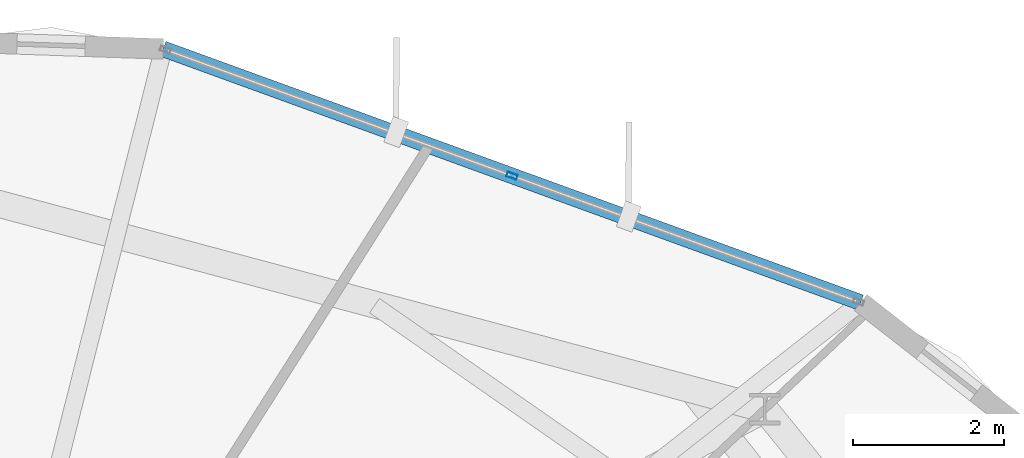
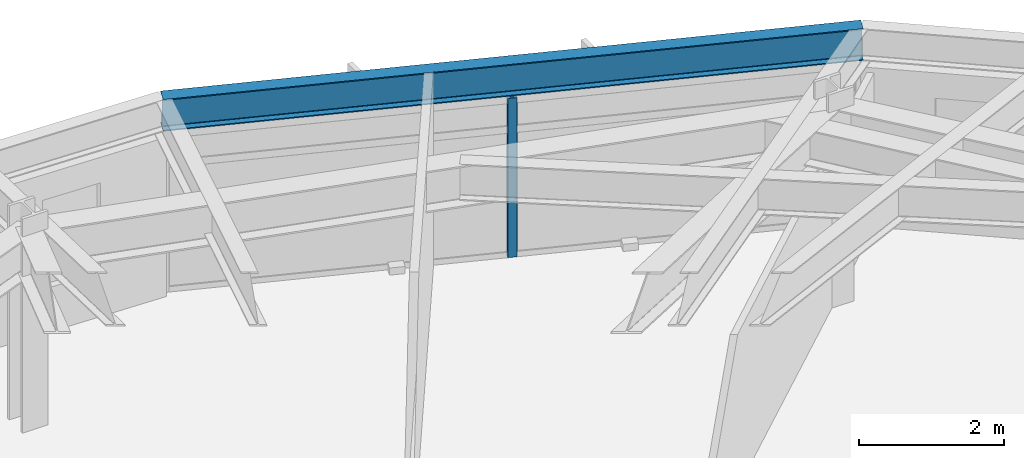
# One storey, part 20 of 30: 1 beam, 1 member, 1 element without a shape of its own.
"""IFC4 building model written with IfcOpenShell, lengths in metres."""

from ifc_helpers import new_model, si_unit, direction, frame, origin, origin_2d, place, context, subcontext, project, spatial, hollow_rectangle, i_section, extrude, material, layer, layer_set, material_profile, profile_set, type_object, element, aggregate, save


model = new_model("IFC4")

# Units and contexts
model_context = context("Model", 3, precision=1e-05, world=origin(), true_north=direction((0.0, 1.0)))
body_context = subcontext(model_context, "Body", "Model", "MODEL_VIEW")
ifc_project = project(units=[si_unit("LENGTHUNIT", "METRE"), si_unit("AREAUNIT", "SQUARE_METRE"), si_unit("VOLUMEUNIT", "CUBIC_METRE"), si_unit("PLANEANGLEUNIT", "RADIAN"), si_unit("MASSUNIT", "GRAM", prefix="KILO")], contexts=[model_context])

# Site, building, storey
site_placement = place(None, origin())
site = spatial("IfcSite", under=ifc_project, at=site_placement, CompositionType="ELEMENT")
building_placement = place(site_placement, origin())
building = spatial("IfcBuilding", under=site, at=building_placement, Name="Soratama Intermodal Tower", CompositionType="ELEMENT")
storey_placement = place(building_placement, frame((0.0, 0.0, 223.0)))
storey = spatial("IfcBuildingStorey", under=building, at=storey_placement, Name="L56", CompositionType="ELEMENT", Elevation=223.0)

# Beam
ifc_material_1 = material(Name="Structural steel ASTM A992 Grade 50", Category="steel")
ifc_material_profile_1 = material_profile(ifc_material_1, i_section(OverallWidth=0.2099609375, OverallDepth=0.537109375, WebThickness=0.010986328125, FlangeThickness=0.017333984375, FilletRadius=0.012939453125, at=origin_2d()), Name="W21X68")
ifc_profile_set_1 = profile_set([ifc_material_profile_1], Name="Structural steel ASTM A992 Grade 50")
beam_type = type_object("IfcBeamType", Name="BM-SPN-W21X68", PredefinedType="SPANDREL", material=ifc_profile_set_1)
beam_placement = place(storey_placement, frame((56.39599609375, 42.007080078125, 3.031494140625), z_axis=(-0.939808700762, 0.34170104766, 0.0), x_axis=(-0.34170104766, -0.939808700762, 0.0)))
element("IfcBeam", 1, at=beam_placement, inside=storey, type_object=beam_type, Name="BS-L56-F01", PredefinedType="SPANDREL", context=body_context, shape_type="SweptSolid", body=[
    extrude(i_section(OverallWidth=0.2099609375, OverallDepth=0.537109375, WebThickness=0.010986328125, FlangeThickness=0.017333984375, FilletRadius=0.012939453125, at=origin_2d()), origin(), (0.0, 0.0, 1.0), 9.7978515625),
])

# Curtain wall, member
ifc_material_2 = material(Name="Double-glazed aluminium curtain wall", Category="aluminium")
ifc_layer = layer(ifc_material_2, 0.159912109375)
ifc_layer_set = layer_set([ifc_layer], Name="Double-glazed aluminium curtain wall")
curtain_wall_type = type_object("IfcCurtainWallType", Name="CW-SYS-5", PredefinedType="NOTDEFINED", material=ifc_layer_set)
curtain_wall_placement = place(storey_placement, origin())
curtain_wall = element("IfcCurtainWall", 2, at=curtain_wall_placement, inside=storey, type_object=curtain_wall_type, Name="L56 Faceted Curtain Wall F01", PredefinedType="NOTDEFINED")
ifc_material_3 = material(Name="Anodised aluminium AA 6063-T6", Category="aluminium")
ifc_material_profile_2 = material_profile(ifc_material_3, hollow_rectangle(XDim=0.06494140625, YDim=0.139892578125, WallThickness=0.0048828125, InnerFilletRadius=0.0048828125, OuterFilletRadius=0.010009765625, at=origin_2d()), Name="CWM140X65X5")
ifc_profile_set_2 = profile_set([ifc_material_profile_2], Name="Anodised aluminium AA 6063-T6")
member_type = type_object("IfcMemberType", Name="MT-CWM-5", PredefinedType="MULLION", material=ifc_profile_set_2)
member_placement = place(storey_placement, frame((51.791748046875, 43.6806640625, 0.0), z_axis=(0.0, 0.0, 1.0), x_axis=(-0.34169553132, -0.939810706406, 0.0)))
member = element("IfcMember", 3, at=member_placement, type_object=member_type, Name="CW-5 mullion 2", PredefinedType="MULLION", context=body_context, shape_type="SweptSolid", body=[
    extrude(hollow_rectangle(XDim=0.06494140625, YDim=0.139892578125, WallThickness=0.0048828125, InnerFilletRadius=0.0048828125, OuterFilletRadius=0.010009765625, at=origin_2d()), origin(), (0.0, 0.0, 1.0), 2.678955078125),
])
aggregate(curtain_wall, [member])

save(model, "model.ifc")
